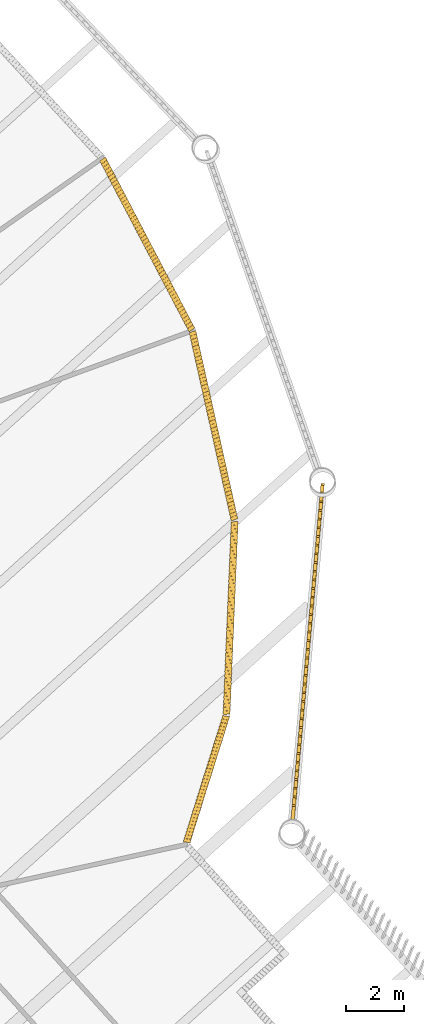
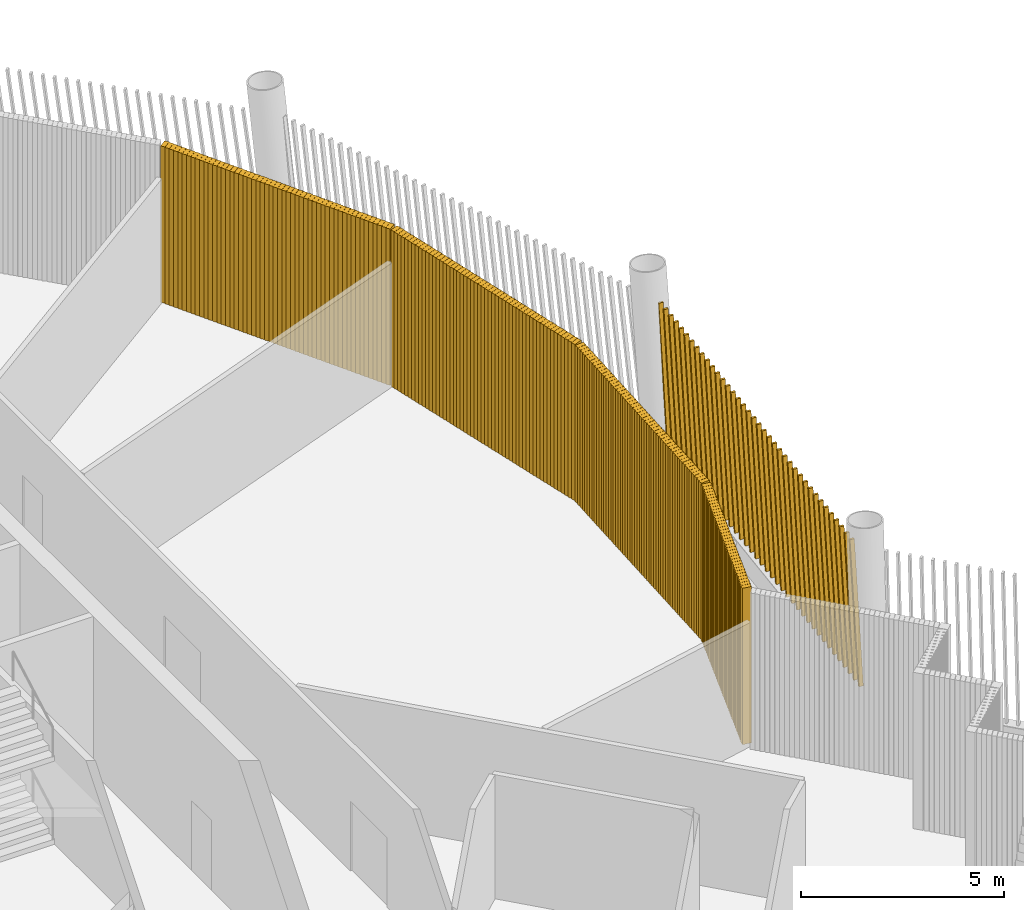
# One storey, part 20 of 21: 5 shading devices.
"""IFC4 building model written with IfcOpenShell, lengths in metres."""

from ifc_helpers import new_model, si_unit, direction, frame, frame_2d, origin, place, context, subcontext, project, spatial, rectangle, composite_profile, extrude, material, type_object, element, save


model = new_model("IFC4")

# Units and contexts
model_context = context("Model", 3, precision=1e-05, world=origin(), true_north=direction((0.0, 1.0)))
body_context = subcontext(model_context, "Body", "Model", "MODEL_VIEW")
ifc_project = project(units=[si_unit("LENGTHUNIT", "METRE"), si_unit("AREAUNIT", "SQUARE_METRE"), si_unit("VOLUMEUNIT", "CUBIC_METRE"), si_unit("PLANEANGLEUNIT", "RADIAN"), si_unit("MASSUNIT", "GRAM", prefix="KILO")], contexts=[model_context])

# Site, building, storey
site_placement = place(None, origin())
site = spatial("IfcSite", under=ifc_project, at=site_placement, CompositionType="ELEMENT")
building_placement = place(site_placement, origin())
building = spatial("IfcBuilding", under=site, at=building_placement, Name="Tarsis Ring Headquarters", CompositionType="ELEMENT")
storey_placement = place(building_placement, frame((0.0, 0.0, 398.60009765625)))
storey = spatial("IfcBuildingStorey", under=building, at=storey_placement, Name="L94", CompositionType="ELEMENT", Elevation=398.60009765625)

# Shading devices
ifc_material_1 = material(Name="Aluminium louvre", Category="aluminium")
shading_device_type_1 = type_object("IfcShadingDeviceType", Name="Plant louvre fin", PredefinedType="USERDEFINED", material=ifc_material_1)
shading_device_1_placement = place(storey_placement, frame((24.099609375, -8.879150390625, 0.0), z_axis=(0.0, 0.0, 1.0), x_axis=(0.299392016918, 0.954110494317, 0.0)))
element("IfcShadingDevice", 1, at=shading_device_1_placement, inside=storey, type_object=shading_device_type_1, Name="Louvre L94-17", ObjectType="Louvre", PredefinedType="USERDEFINED", context=body_context, shape_type="SweptSolid", body=[
    extrude(composite_profile([rectangle(XDim=0.1201171875, YDim=0.239990234375, at=frame_2d((0.076171875, 0.0), x_axis=(0.990268068742, 0.13917310096))), rectangle(XDim=0.1201171875, YDim=0.239990234375, at=frame_2d((0.203857421875, 0.0), x_axis=(0.990268068742, 0.13917310096))), rectangle(XDim=0.1201171875, YDim=0.239990234375, at=frame_2d((0.331298828125, 0.0), x_axis=(0.990268068742, 0.13917310096))), rectangle(XDim=0.1201171875, YDim=0.239990234375, at=frame_2d((0.458984375, 0.0), x_axis=(0.990268068742, 0.13917310096))), rectangle(XDim=0.1201171875, YDim=0.239990234375, at=frame_2d((0.58642578125, 0.0), x_axis=(0.990268068742, 0.13917310096))), rectangle(XDim=0.1201171875, YDim=0.239990234375, at=frame_2d((0.714111328125, 0.0), x_axis=(0.990268068742, 0.13917310096))), rectangle(XDim=0.1201171875, YDim=0.239990234375, at=frame_2d((0.841796875, 0.0), x_axis=(0.990268068742, 0.13917310096))), rectangle(XDim=0.1201171875, YDim=0.239990234375, at=frame_2d((0.96923828125, 0.0), x_axis=(0.990268068742, 0.13917310096))), rectangle(XDim=0.1201171875, YDim=0.239990234375, at=frame_2d((1.096923828125, 0.0), x_axis=(0.990268068742, 0.13917310096))), rectangle(XDim=0.1201171875, YDim=0.239990234375, at=frame_2d((1.224365234375, 0.0), x_axis=(0.990268068742, 0.13917310096))), rectangle(XDim=0.1201171875, YDim=0.239990234375, at=frame_2d((1.35205078125, 0.0), x_axis=(0.990268068742, 0.13917310096))), rectangle(XDim=0.1201171875, YDim=0.239990234375, at=frame_2d((1.479736328125, 0.0), x_axis=(0.990268068742, 0.13917310096))), rectangle(XDim=0.1201171875, YDim=0.239990234375, at=frame_2d((1.607177734375, 0.0), x_axis=(0.990268068742, 0.13917310096))), rectangle(XDim=0.1201171875, YDim=0.239990234375, at=frame_2d((1.73486328125, 0.0), x_axis=(0.990268068742, 0.13917310096))), rectangle(XDim=0.1201171875, YDim=0.239990234375, at=frame_2d((1.8623046875, 0.0), x_axis=(0.990268068742, 0.13917310096))), rectangle(XDim=0.1201171875, YDim=0.239990234375, at=frame_2d((1.989990234375, 0.0), x_axis=(0.990268068742, 0.13917310096))), rectangle(XDim=0.1201171875, YDim=0.239990234375, at=frame_2d((2.11767578125, 0.0), x_axis=(0.990268068742, 0.13917310096))), rectangle(XDim=0.1201171875, YDim=0.239990234375, at=frame_2d((2.2451171875, 0.0), x_axis=(0.990268068742, 0.13917310096))), rectangle(XDim=0.1201171875, YDim=0.239990234375, at=frame_2d((2.372802734375, 0.0), x_axis=(0.990268068742, 0.13917310096))), rectangle(XDim=0.1201171875, YDim=0.239990234375, at=frame_2d((2.500244140625, 0.0), x_axis=(0.990268068742, 0.13917310096))), rectangle(XDim=0.1201171875, YDim=0.239990234375, at=frame_2d((2.6279296875, 0.0), x_axis=(0.990268068742, 0.13917310096))), rectangle(XDim=0.1201171875, YDim=0.239990234375, at=frame_2d((2.755615234375, 0.0), x_axis=(0.990268068742, 0.13917310096))), rectangle(XDim=0.1201171875, YDim=0.239990234375, at=frame_2d((2.883056640625, 0.0), x_axis=(0.990268068742, 0.13917310096))), rectangle(XDim=0.1201171875, YDim=0.239990234375, at=frame_2d((3.0107421875, 0.0), x_axis=(0.990268068742, 0.13917310096))), rectangle(XDim=0.1201171875, YDim=0.239990234375, at=frame_2d((3.13818359375, 0.0), x_axis=(0.990268068742, 0.13917310096))), rectangle(XDim=0.1201171875, YDim=0.239990234375, at=frame_2d((3.265869140625, 0.0), x_axis=(0.990268068742, 0.13917310096))), rectangle(XDim=0.1201171875, YDim=0.239990234375, at=frame_2d((3.3935546875, 0.0), x_axis=(0.990268068742, 0.13917310096))), rectangle(XDim=0.1201171875, YDim=0.239990234375, at=frame_2d((3.52099609375, 0.0), x_axis=(0.990268068742, 0.13917310096))), rectangle(XDim=0.1201171875, YDim=0.239990234375, at=frame_2d((3.648681640625, 0.0), x_axis=(0.990268068742, 0.13917310096))), rectangle(XDim=0.1201171875, YDim=0.239990234375, at=frame_2d((3.776123046875, 0.0), x_axis=(0.990268068742, 0.13917310096))), rectangle(XDim=0.1201171875, YDim=0.239990234375, at=frame_2d((3.90380859375, 0.0), x_axis=(0.990268068742, 0.13917310096))), rectangle(XDim=0.1201171875, YDim=0.239990234375, at=frame_2d((4.031494140625, 0.0), x_axis=(0.990268068742, 0.13917310096))), rectangle(XDim=0.1201171875, YDim=0.239990234375, at=frame_2d((4.158935546875, 0.0), x_axis=(0.990268068742, 0.13917310096))), rectangle(XDim=0.1201171875, YDim=0.239990234375, at=frame_2d((4.28662109375, 0.0), x_axis=(0.990268068742, 0.13917310096))), rectangle(XDim=0.1201171875, YDim=0.239990234375, at=frame_2d((4.4140625, 0.0), x_axis=(0.990268068742, 0.13917310096))), rectangle(XDim=0.1201171875, YDim=0.239990234375, at=frame_2d((4.541748046875, 0.0), x_axis=(0.990268068742, 0.13917310096)))]), origin(), (0.0, 0.0, 1.0), 4.699951171875),
])
shading_device_2_placement = place(storey_placement, frame((25.48779296875, -4.44091796875, 0.0), z_axis=(0.0, 0.0, 1.0), x_axis=(0.042205433677, 0.999091965713, 0.0)))
element("IfcShadingDevice", 2, at=shading_device_2_placement, inside=storey, type_object=shading_device_type_1, Name="Louvre L94-18", ObjectType="Louvre", PredefinedType="USERDEFINED", context=body_context, shape_type="SweptSolid", body=[
    extrude(composite_profile([rectangle(XDim=0.1201171875, YDim=0.239990234375, at=frame_2d((0.076171875, 0.0), x_axis=(0.990268068742, 0.13917310096))), rectangle(XDim=0.1201171875, YDim=0.239990234375, at=frame_2d((0.202392578125, 0.0), x_axis=(0.990268068742, 0.13917310096))), rectangle(XDim=0.1201171875, YDim=0.239990234375, at=frame_2d((0.328857421875, 0.0), x_axis=(0.990268068742, 0.13917310096))), rectangle(XDim=0.1201171875, YDim=0.239990234375, at=frame_2d((0.455078125, 0.0), x_axis=(0.990268068742, 0.13917310096))), rectangle(XDim=0.1201171875, YDim=0.239990234375, at=frame_2d((0.58154296875, 0.0), x_axis=(0.990268068742, 0.13917310096))), rectangle(XDim=0.1201171875, YDim=0.239990234375, at=frame_2d((0.707763671875, 0.0), x_axis=(0.990268068742, 0.13917310096))), rectangle(XDim=0.1201171875, YDim=0.239990234375, at=frame_2d((0.834228515625, 0.0), x_axis=(0.990268068742, 0.13917310096))), rectangle(XDim=0.1201171875, YDim=0.239990234375, at=frame_2d((0.96044921875, 0.0), x_axis=(0.990268068742, 0.13917310096))), rectangle(XDim=0.1201171875, YDim=0.239990234375, at=frame_2d((1.0869140625, 0.0), x_axis=(0.990268068742, 0.13917310096))), rectangle(XDim=0.1201171875, YDim=0.239990234375, at=frame_2d((1.213134765625, 0.0), x_axis=(0.990268068742, 0.13917310096))), rectangle(XDim=0.1201171875, YDim=0.239990234375, at=frame_2d((1.339599609375, 0.0), x_axis=(0.990268068742, 0.13917310096))), rectangle(XDim=0.1201171875, YDim=0.239990234375, at=frame_2d((1.4658203125, 0.0), x_axis=(0.990268068742, 0.13917310096))), rectangle(XDim=0.1201171875, YDim=0.239990234375, at=frame_2d((1.59228515625, 0.0), x_axis=(0.990268068742, 0.13917310096))), rectangle(XDim=0.1201171875, YDim=0.239990234375, at=frame_2d((1.718505859375, 0.0), x_axis=(0.990268068742, 0.13917310096))), rectangle(XDim=0.1201171875, YDim=0.239990234375, at=frame_2d((1.8447265625, 0.0), x_axis=(0.990268068742, 0.13917310096))), rectangle(XDim=0.1201171875, YDim=0.239990234375, at=frame_2d((1.97119140625, 0.0), x_axis=(0.990268068742, 0.13917310096))), rectangle(XDim=0.1201171875, YDim=0.239990234375, at=frame_2d((2.097412109375, 0.0), x_axis=(0.990268068742, 0.13917310096))), rectangle(XDim=0.1201171875, YDim=0.239990234375, at=frame_2d((2.223876953125, 0.0), x_axis=(0.990268068742, 0.13917310096))), rectangle(XDim=0.1201171875, YDim=0.239990234375, at=frame_2d((2.35009765625, 0.0), x_axis=(0.990268068742, 0.13917310096))), rectangle(XDim=0.1201171875, YDim=0.239990234375, at=frame_2d((2.4765625, 0.0), x_axis=(0.990268068742, 0.13917310096))), rectangle(XDim=0.1201171875, YDim=0.239990234375, at=frame_2d((2.602783203125, 0.0), x_axis=(0.990268068742, 0.13917310096))), rectangle(XDim=0.1201171875, YDim=0.239990234375, at=frame_2d((2.729248046875, 0.0), x_axis=(0.990268068742, 0.13917310096))), rectangle(XDim=0.1201171875, YDim=0.239990234375, at=frame_2d((2.85546875, 0.0), x_axis=(0.990268068742, 0.13917310096))), rectangle(XDim=0.1201171875, YDim=0.239990234375, at=frame_2d((2.98193359375, 0.0), x_axis=(0.990268068742, 0.13917310096))), rectangle(XDim=0.1201171875, YDim=0.239990234375, at=frame_2d((3.108154296875, 0.0), x_axis=(0.990268068742, 0.13917310096))), rectangle(XDim=0.1201171875, YDim=0.239990234375, at=frame_2d((3.234619140625, 0.0), x_axis=(0.990268068742, 0.13917310096))), rectangle(XDim=0.1201171875, YDim=0.239990234375, at=frame_2d((3.36083984375, 0.0), x_axis=(0.990268068742, 0.13917310096))), rectangle(XDim=0.1201171875, YDim=0.239990234375, at=frame_2d((3.487060546875, 0.0), x_axis=(0.990268068742, 0.13917310096))), rectangle(XDim=0.1201171875, YDim=0.239990234375, at=frame_2d((3.613525390625, 0.0), x_axis=(0.990268068742, 0.13917310096))), rectangle(XDim=0.1201171875, YDim=0.239990234375, at=frame_2d((3.73974609375, 0.0), x_axis=(0.990268068742, 0.13917310096))), rectangle(XDim=0.1201171875, YDim=0.239990234375, at=frame_2d((3.8662109375, 0.0), x_axis=(0.990268068742, 0.13917310096))), rectangle(XDim=0.1201171875, YDim=0.239990234375, at=frame_2d((3.992431640625, 0.0), x_axis=(0.990268068742, 0.13917310096))), rectangle(XDim=0.1201171875, YDim=0.239990234375, at=frame_2d((4.118896484375, 0.0), x_axis=(0.990268068742, 0.13917310096))), rectangle(XDim=0.1201171875, YDim=0.239990234375, at=frame_2d((4.2451171875, 0.0), x_axis=(0.990268068742, 0.13917310096))), rectangle(XDim=0.1201171875, YDim=0.239990234375, at=frame_2d((4.37158203125, 0.0), x_axis=(0.990268068742, 0.13917310096))), rectangle(XDim=0.1201171875, YDim=0.239990234375, at=frame_2d((4.497802734375, 0.0), x_axis=(0.990268068742, 0.13917310096))), rectangle(XDim=0.1201171875, YDim=0.239990234375, at=frame_2d((4.624267578125, 0.0), x_axis=(0.990268068742, 0.13917310096))), rectangle(XDim=0.1201171875, YDim=0.239990234375, at=frame_2d((4.75048828125, 0.0), x_axis=(0.990268068742, 0.13917310096))), rectangle(XDim=0.1201171875, YDim=0.239990234375, at=frame_2d((4.876953125, 0.0), x_axis=(0.990268068742, 0.13917310096))), rectangle(XDim=0.1201171875, YDim=0.239990234375, at=frame_2d((5.003173828125, 0.0), x_axis=(0.990268068742, 0.13917310096))), rectangle(XDim=0.1201171875, YDim=0.239990234375, at=frame_2d((5.12939453125, 0.0), x_axis=(0.990268068742, 0.13917310096))), rectangle(XDim=0.1201171875, YDim=0.239990234375, at=frame_2d((5.255859375, 0.0), x_axis=(0.990268068742, 0.13917310096))), rectangle(XDim=0.1201171875, YDim=0.239990234375, at=frame_2d((5.382080078125, 0.0), x_axis=(0.990268068742, 0.13917310096))), rectangle(XDim=0.1201171875, YDim=0.239990234375, at=frame_2d((5.508544921875, 0.0), x_axis=(0.990268068742, 0.13917310096))), rectangle(XDim=0.1201171875, YDim=0.239990234375, at=frame_2d((5.634765625, 0.0), x_axis=(0.990268068742, 0.13917310096))), rectangle(XDim=0.1201171875, YDim=0.239990234375, at=frame_2d((5.76123046875, 0.0), x_axis=(0.990268068742, 0.13917310096))), rectangle(XDim=0.1201171875, YDim=0.239990234375, at=frame_2d((5.887451171875, 0.0), x_axis=(0.990268068742, 0.13917310096))), rectangle(XDim=0.1201171875, YDim=0.239990234375, at=frame_2d((6.013916015625, 0.0), x_axis=(0.990268068742, 0.13917310096))), rectangle(XDim=0.1201171875, YDim=0.239990234375, at=frame_2d((6.14013671875, 0.0), x_axis=(0.990268068742, 0.13917310096))), rectangle(XDim=0.1201171875, YDim=0.239990234375, at=frame_2d((6.2666015625, 0.0), x_axis=(0.990268068742, 0.13917310096))), rectangle(XDim=0.1201171875, YDim=0.239990234375, at=frame_2d((6.392822265625, 0.0), x_axis=(0.990268068742, 0.13917310096))), rectangle(XDim=0.1201171875, YDim=0.239990234375, at=frame_2d((6.519287109375, 0.0), x_axis=(0.990268068742, 0.13917310096))), rectangle(XDim=0.1201171875, YDim=0.239990234375, at=frame_2d((6.6455078125, 0.0), x_axis=(0.990268068742, 0.13917310096)))]), origin(), (0.0, 0.0, 1.0), 4.699951171875),
])
shading_device_3_placement = place(storey_placement, frame((25.768798828125, 2.30712890625, 0.0), z_axis=(0.0, 0.0, 1.0), x_axis=(-0.217827176637, 0.975990701391, 0.0)))
element("IfcShadingDevice", 3, at=shading_device_3_placement, inside=storey, type_object=shading_device_type_1, Name="Louvre L94-19", ObjectType="Louvre", PredefinedType="USERDEFINED", context=body_context, shape_type="SweptSolid", body=[
    extrude(composite_profile([rectangle(XDim=0.1201171875, YDim=0.239990234375, at=frame_2d((0.076171875, 0.0), x_axis=(0.990268068742, 0.13917310096))), rectangle(XDim=0.1201171875, YDim=0.239990234375, at=frame_2d((0.202392578125, 0.0), x_axis=(0.990268068742, 0.13917310096))), rectangle(XDim=0.1201171875, YDim=0.239990234375, at=frame_2d((0.328857421875, 0.0), x_axis=(0.990268068742, 0.13917310096))), rectangle(XDim=0.1201171875, YDim=0.239990234375, at=frame_2d((0.455078125, 0.0), x_axis=(0.990268068742, 0.13917310096))), rectangle(XDim=0.1201171875, YDim=0.239990234375, at=frame_2d((0.58154296875, 0.0), x_axis=(0.990268068742, 0.13917310096))), rectangle(XDim=0.1201171875, YDim=0.239990234375, at=frame_2d((0.707763671875, 0.0), x_axis=(0.990268068742, 0.13917310096))), rectangle(XDim=0.1201171875, YDim=0.239990234375, at=frame_2d((0.834228515625, 0.0), x_axis=(0.990268068742, 0.13917310096))), rectangle(XDim=0.1201171875, YDim=0.239990234375, at=frame_2d((0.96044921875, 0.0), x_axis=(0.990268068742, 0.13917310096))), rectangle(XDim=0.1201171875, YDim=0.239990234375, at=frame_2d((1.0869140625, 0.0), x_axis=(0.990268068742, 0.13917310096))), rectangle(XDim=0.1201171875, YDim=0.239990234375, at=frame_2d((1.213134765625, 0.0), x_axis=(0.990268068742, 0.13917310096))), rectangle(XDim=0.1201171875, YDim=0.239990234375, at=frame_2d((1.33935546875, 0.0), x_axis=(0.990268068742, 0.13917310096))), rectangle(XDim=0.1201171875, YDim=0.239990234375, at=frame_2d((1.4658203125, 0.0), x_axis=(0.990268068742, 0.13917310096))), rectangle(XDim=0.1201171875, YDim=0.239990234375, at=frame_2d((1.592041015625, 0.0), x_axis=(0.990268068742, 0.13917310096))), rectangle(XDim=0.1201171875, YDim=0.239990234375, at=frame_2d((1.718505859375, 0.0), x_axis=(0.990268068742, 0.13917310096))), rectangle(XDim=0.1201171875, YDim=0.239990234375, at=frame_2d((1.8447265625, 0.0), x_axis=(0.990268068742, 0.13917310096))), rectangle(XDim=0.1201171875, YDim=0.239990234375, at=frame_2d((1.97119140625, 0.0), x_axis=(0.990268068742, 0.13917310096))), rectangle(XDim=0.1201171875, YDim=0.239990234375, at=frame_2d((2.097412109375, 0.0), x_axis=(0.990268068742, 0.13917310096))), rectangle(XDim=0.1201171875, YDim=0.239990234375, at=frame_2d((2.223876953125, 0.0), x_axis=(0.990268068742, 0.13917310096))), rectangle(XDim=0.1201171875, YDim=0.239990234375, at=frame_2d((2.35009765625, 0.0), x_axis=(0.990268068742, 0.13917310096))), rectangle(XDim=0.1201171875, YDim=0.239990234375, at=frame_2d((2.476318359375, 0.0), x_axis=(0.990268068742, 0.13917310096))), rectangle(XDim=0.1201171875, YDim=0.239990234375, at=frame_2d((2.602783203125, 0.0), x_axis=(0.990268068742, 0.13917310096))), rectangle(XDim=0.1201171875, YDim=0.239990234375, at=frame_2d((2.72900390625, 0.0), x_axis=(0.990268068742, 0.13917310096))), rectangle(XDim=0.1201171875, YDim=0.239990234375, at=frame_2d((2.85546875, 0.0), x_axis=(0.990268068742, 0.13917310096))), rectangle(XDim=0.1201171875, YDim=0.239990234375, at=frame_2d((2.981689453125, 0.0), x_axis=(0.990268068742, 0.13917310096))), rectangle(XDim=0.1201171875, YDim=0.239990234375, at=frame_2d((3.108154296875, 0.0), x_axis=(0.990268068742, 0.13917310096))), rectangle(XDim=0.1201171875, YDim=0.239990234375, at=frame_2d((3.234375, 0.0), x_axis=(0.990268068742, 0.13917310096))), rectangle(XDim=0.1201171875, YDim=0.239990234375, at=frame_2d((3.36083984375, 0.0), x_axis=(0.990268068742, 0.13917310096))), rectangle(XDim=0.1201171875, YDim=0.239990234375, at=frame_2d((3.487060546875, 0.0), x_axis=(0.990268068742, 0.13917310096))), rectangle(XDim=0.1201171875, YDim=0.239990234375, at=frame_2d((3.61328125, 0.0), x_axis=(0.990268068742, 0.13917310096))), rectangle(XDim=0.1201171875, YDim=0.239990234375, at=frame_2d((3.73974609375, 0.0), x_axis=(0.990268068742, 0.13917310096))), rectangle(XDim=0.1201171875, YDim=0.239990234375, at=frame_2d((3.865966796875, 0.0), x_axis=(0.990268068742, 0.13917310096))), rectangle(XDim=0.1201171875, YDim=0.239990234375, at=frame_2d((3.992431640625, 0.0), x_axis=(0.990268068742, 0.13917310096))), rectangle(XDim=0.1201171875, YDim=0.239990234375, at=frame_2d((4.11865234375, 0.0), x_axis=(0.990268068742, 0.13917310096))), rectangle(XDim=0.1201171875, YDim=0.239990234375, at=frame_2d((4.2451171875, 0.0), x_axis=(0.990268068742, 0.13917310096))), rectangle(XDim=0.1201171875, YDim=0.239990234375, at=frame_2d((4.371337890625, 0.0), x_axis=(0.990268068742, 0.13917310096))), rectangle(XDim=0.1201171875, YDim=0.239990234375, at=frame_2d((4.49755859375, 0.0), x_axis=(0.990268068742, 0.13917310096))), rectangle(XDim=0.1201171875, YDim=0.239990234375, at=frame_2d((4.6240234375, 0.0), x_axis=(0.990268068742, 0.13917310096))), rectangle(XDim=0.1201171875, YDim=0.239990234375, at=frame_2d((4.750244140625, 0.0), x_axis=(0.990268068742, 0.13917310096))), rectangle(XDim=0.1201171875, YDim=0.239990234375, at=frame_2d((4.876708984375, 0.0), x_axis=(0.990268068742, 0.13917310096))), rectangle(XDim=0.1201171875, YDim=0.239990234375, at=frame_2d((5.0029296875, 0.0), x_axis=(0.990268068742, 0.13917310096))), rectangle(XDim=0.1201171875, YDim=0.239990234375, at=frame_2d((5.12939453125, 0.0), x_axis=(0.990268068742, 0.13917310096))), rectangle(XDim=0.1201171875, YDim=0.239990234375, at=frame_2d((5.255615234375, 0.0), x_axis=(0.990268068742, 0.13917310096))), rectangle(XDim=0.1201171875, YDim=0.239990234375, at=frame_2d((5.382080078125, 0.0), x_axis=(0.990268068742, 0.13917310096))), rectangle(XDim=0.1201171875, YDim=0.239990234375, at=frame_2d((5.50830078125, 0.0), x_axis=(0.990268068742, 0.13917310096))), rectangle(XDim=0.1201171875, YDim=0.239990234375, at=frame_2d((5.634521484375, 0.0), x_axis=(0.990268068742, 0.13917310096))), rectangle(XDim=0.1201171875, YDim=0.239990234375, at=frame_2d((5.760986328125, 0.0), x_axis=(0.990268068742, 0.13917310096))), rectangle(XDim=0.1201171875, YDim=0.239990234375, at=frame_2d((5.88720703125, 0.0), x_axis=(0.990268068742, 0.13917310096))), rectangle(XDim=0.1201171875, YDim=0.239990234375, at=frame_2d((6.013671875, 0.0), x_axis=(0.990268068742, 0.13917310096))), rectangle(XDim=0.1201171875, YDim=0.239990234375, at=frame_2d((6.139892578125, 0.0), x_axis=(0.990268068742, 0.13917310096))), rectangle(XDim=0.1201171875, YDim=0.239990234375, at=frame_2d((6.266357421875, 0.0), x_axis=(0.990268068742, 0.13917310096))), rectangle(XDim=0.1201171875, YDim=0.239990234375, at=frame_2d((6.392578125, 0.0), x_axis=(0.990268068742, 0.13917310096))), rectangle(XDim=0.1201171875, YDim=0.239990234375, at=frame_2d((6.51904296875, 0.0), x_axis=(0.990268068742, 0.13917310096))), rectangle(XDim=0.1201171875, YDim=0.239990234375, at=frame_2d((6.645263671875, 0.0), x_axis=(0.990268068742, 0.13917310096)))]), origin(), (0.0, 0.0, 1.0), 4.699951171875),
])
shading_device_4_placement = place(storey_placement, frame((24.29345703125, 8.89794921875, 0.0), z_axis=(0.0, 0.0, 1.0), x_axis=(-0.462969016745, 0.886382623225, 0.0)))
element("IfcShadingDevice", 4, at=shading_device_4_placement, inside=storey, type_object=shading_device_type_1, Name="Louvre L94-20", ObjectType="Louvre", PredefinedType="USERDEFINED", context=body_context, shape_type="SweptSolid", body=[
    extrude(composite_profile([rectangle(XDim=0.1201171875, YDim=0.239990234375, at=frame_2d((0.076171875, 0.0), x_axis=(0.990268068742, 0.13917310096))), rectangle(XDim=0.1201171875, YDim=0.239990234375, at=frame_2d((0.202392578125, 0.0), x_axis=(0.990268068742, 0.13917310096))), rectangle(XDim=0.1201171875, YDim=0.239990234375, at=frame_2d((0.328857421875, 0.0), x_axis=(0.990268068742, 0.13917310096))), rectangle(XDim=0.1201171875, YDim=0.239990234375, at=frame_2d((0.455078125, 0.0), x_axis=(0.990268068742, 0.13917310096))), rectangle(XDim=0.1201171875, YDim=0.239990234375, at=frame_2d((0.58154296875, 0.0), x_axis=(0.990268068742, 0.13917310096))), rectangle(XDim=0.1201171875, YDim=0.239990234375, at=frame_2d((0.707763671875, 0.0), x_axis=(0.990268068742, 0.13917310096))), rectangle(XDim=0.1201171875, YDim=0.239990234375, at=frame_2d((0.834228515625, 0.0), x_axis=(0.990268068742, 0.13917310096))), rectangle(XDim=0.1201171875, YDim=0.239990234375, at=frame_2d((0.96044921875, 0.0), x_axis=(0.990268068742, 0.13917310096))), rectangle(XDim=0.1201171875, YDim=0.239990234375, at=frame_2d((1.0869140625, 0.0), x_axis=(0.990268068742, 0.13917310096))), rectangle(XDim=0.1201171875, YDim=0.239990234375, at=frame_2d((1.213134765625, 0.0), x_axis=(0.990268068742, 0.13917310096))), rectangle(XDim=0.1201171875, YDim=0.239990234375, at=frame_2d((1.33935546875, 0.0), x_axis=(0.990268068742, 0.13917310096))), rectangle(XDim=0.1201171875, YDim=0.239990234375, at=frame_2d((1.4658203125, 0.0), x_axis=(0.990268068742, 0.13917310096))), rectangle(XDim=0.1201171875, YDim=0.239990234375, at=frame_2d((1.592041015625, 0.0), x_axis=(0.990268068742, 0.13917310096))), rectangle(XDim=0.1201171875, YDim=0.239990234375, at=frame_2d((1.718505859375, 0.0), x_axis=(0.990268068742, 0.13917310096))), rectangle(XDim=0.1201171875, YDim=0.239990234375, at=frame_2d((1.8447265625, 0.0), x_axis=(0.990268068742, 0.13917310096))), rectangle(XDim=0.1201171875, YDim=0.239990234375, at=frame_2d((1.97119140625, 0.0), x_axis=(0.990268068742, 0.13917310096))), rectangle(XDim=0.1201171875, YDim=0.239990234375, at=frame_2d((2.097412109375, 0.0), x_axis=(0.990268068742, 0.13917310096))), rectangle(XDim=0.1201171875, YDim=0.239990234375, at=frame_2d((2.223876953125, 0.0), x_axis=(0.990268068742, 0.13917310096))), rectangle(XDim=0.1201171875, YDim=0.239990234375, at=frame_2d((2.35009765625, 0.0), x_axis=(0.990268068742, 0.13917310096))), rectangle(XDim=0.1201171875, YDim=0.239990234375, at=frame_2d((2.476318359375, 0.0), x_axis=(0.990268068742, 0.13917310096))), rectangle(XDim=0.1201171875, YDim=0.239990234375, at=frame_2d((2.602783203125, 0.0), x_axis=(0.990268068742, 0.13917310096))), rectangle(XDim=0.1201171875, YDim=0.239990234375, at=frame_2d((2.72900390625, 0.0), x_axis=(0.990268068742, 0.13917310096))), rectangle(XDim=0.1201171875, YDim=0.239990234375, at=frame_2d((2.85546875, 0.0), x_axis=(0.990268068742, 0.13917310096))), rectangle(XDim=0.1201171875, YDim=0.239990234375, at=frame_2d((2.981689453125, 0.0), x_axis=(0.990268068742, 0.13917310096))), rectangle(XDim=0.1201171875, YDim=0.239990234375, at=frame_2d((3.108154296875, 0.0), x_axis=(0.990268068742, 0.13917310096))), rectangle(XDim=0.1201171875, YDim=0.239990234375, at=frame_2d((3.234375, 0.0), x_axis=(0.990268068742, 0.13917310096))), rectangle(XDim=0.1201171875, YDim=0.239990234375, at=frame_2d((3.36083984375, 0.0), x_axis=(0.990268068742, 0.13917310096))), rectangle(XDim=0.1201171875, YDim=0.239990234375, at=frame_2d((3.487060546875, 0.0), x_axis=(0.990268068742, 0.13917310096))), rectangle(XDim=0.1201171875, YDim=0.239990234375, at=frame_2d((3.61328125, 0.0), x_axis=(0.990268068742, 0.13917310096))), rectangle(XDim=0.1201171875, YDim=0.239990234375, at=frame_2d((3.73974609375, 0.0), x_axis=(0.990268068742, 0.13917310096))), rectangle(XDim=0.1201171875, YDim=0.239990234375, at=frame_2d((3.865966796875, 0.0), x_axis=(0.990268068742, 0.13917310096))), rectangle(XDim=0.1201171875, YDim=0.239990234375, at=frame_2d((3.992431640625, 0.0), x_axis=(0.990268068742, 0.13917310096))), rectangle(XDim=0.1201171875, YDim=0.239990234375, at=frame_2d((4.11865234375, 0.0), x_axis=(0.990268068742, 0.13917310096))), rectangle(XDim=0.1201171875, YDim=0.239990234375, at=frame_2d((4.2451171875, 0.0), x_axis=(0.990268068742, 0.13917310096))), rectangle(XDim=0.1201171875, YDim=0.239990234375, at=frame_2d((4.371337890625, 0.0), x_axis=(0.990268068742, 0.13917310096))), rectangle(XDim=0.1201171875, YDim=0.239990234375, at=frame_2d((4.49755859375, 0.0), x_axis=(0.990268068742, 0.13917310096))), rectangle(XDim=0.1201171875, YDim=0.239990234375, at=frame_2d((4.6240234375, 0.0), x_axis=(0.990268068742, 0.13917310096))), rectangle(XDim=0.1201171875, YDim=0.239990234375, at=frame_2d((4.750244140625, 0.0), x_axis=(0.990268068742, 0.13917310096))), rectangle(XDim=0.1201171875, YDim=0.239990234375, at=frame_2d((4.876708984375, 0.0), x_axis=(0.990268068742, 0.13917310096))), rectangle(XDim=0.1201171875, YDim=0.239990234375, at=frame_2d((5.0029296875, 0.0), x_axis=(0.990268068742, 0.13917310096))), rectangle(XDim=0.1201171875, YDim=0.239990234375, at=frame_2d((5.12939453125, 0.0), x_axis=(0.990268068742, 0.13917310096))), rectangle(XDim=0.1201171875, YDim=0.239990234375, at=frame_2d((5.255615234375, 0.0), x_axis=(0.990268068742, 0.13917310096))), rectangle(XDim=0.1201171875, YDim=0.239990234375, at=frame_2d((5.382080078125, 0.0), x_axis=(0.990268068742, 0.13917310096))), rectangle(XDim=0.1201171875, YDim=0.239990234375, at=frame_2d((5.50830078125, 0.0), x_axis=(0.990268068742, 0.13917310096))), rectangle(XDim=0.1201171875, YDim=0.239990234375, at=frame_2d((5.634521484375, 0.0), x_axis=(0.990268068742, 0.13917310096))), rectangle(XDim=0.1201171875, YDim=0.239990234375, at=frame_2d((5.760986328125, 0.0), x_axis=(0.990268068742, 0.13917310096))), rectangle(XDim=0.1201171875, YDim=0.239990234375, at=frame_2d((5.88720703125, 0.0), x_axis=(0.990268068742, 0.13917310096))), rectangle(XDim=0.1201171875, YDim=0.239990234375, at=frame_2d((6.013671875, 0.0), x_axis=(0.990268068742, 0.13917310096))), rectangle(XDim=0.1201171875, YDim=0.239990234375, at=frame_2d((6.139892578125, 0.0), x_axis=(0.990268068742, 0.13917310096))), rectangle(XDim=0.1201171875, YDim=0.239990234375, at=frame_2d((6.266357421875, 0.0), x_axis=(0.990268068742, 0.13917310096))), rectangle(XDim=0.1201171875, YDim=0.239990234375, at=frame_2d((6.392578125, 0.0), x_axis=(0.990268068742, 0.13917310096))), rectangle(XDim=0.1201171875, YDim=0.239990234375, at=frame_2d((6.51904296875, 0.0), x_axis=(0.990268068742, 0.13917310096))), rectangle(XDim=0.1201171875, YDim=0.239990234375, at=frame_2d((6.645263671875, 0.0), x_axis=(0.990268068742, 0.13917310096)))]), origin(), (0.0, 0.0, 1.0), 4.699951171875),
])
ifc_material_2 = material(Name="Terracotta baguette", Category="masonry")
shading_device_type_2 = type_object("IfcShadingDeviceType", Name="Terracotta baguette screen", PredefinedType="USERDEFINED", material=ifc_material_2)
shading_device_5_placement = place(storey_placement, frame((27.780517578125, -8.135498046875, 0.0), z_axis=(0.0, 0.0, 1.0), x_axis=(0.089222154701, 0.996006597795, 0.0)))
element("IfcShadingDevice", 5, at=shading_device_5_placement, inside=storey, type_object=shading_device_type_2, Name="Baguette screen L94-05", ObjectType="Terracotta baguette screen", PredefinedType="USERDEFINED", context=body_context, shape_type="SweptSolid", body=[
    extrude(composite_profile([rectangle(XDim=0.06005859375, YDim=0.1201171875, at=frame_2d((0.030029296875, 0.0))), rectangle(XDim=0.06005859375, YDim=0.1201171875, at=frame_2d((0.33251953125, 0.0))), rectangle(XDim=0.06005859375, YDim=0.1201171875, at=frame_2d((0.634765625, 0.0))), rectangle(XDim=0.06005859375, YDim=0.1201171875, at=frame_2d((0.937255859375, 0.0))), rectangle(XDim=0.06005859375, YDim=0.1201171875, at=frame_2d((1.239501953125, 0.0))), rectangle(XDim=0.06005859375, YDim=0.1201171875, at=frame_2d((1.5419921875, 0.0))), rectangle(XDim=0.06005859375, YDim=0.1201171875, at=frame_2d((1.844482421875, 0.0))), rectangle(XDim=0.06005859375, YDim=0.1201171875, at=frame_2d((2.146728515625, 0.0))), rectangle(XDim=0.06005859375, YDim=0.1201171875, at=frame_2d((2.44921875, 0.0))), rectangle(XDim=0.06005859375, YDim=0.1201171875, at=frame_2d((2.751708984375, 0.0))), rectangle(XDim=0.06005859375, YDim=0.1201171875, at=frame_2d((3.053955078125, 0.0))), rectangle(XDim=0.06005859375, YDim=0.1201171875, at=frame_2d((3.3564453125, 0.0))), rectangle(XDim=0.06005859375, YDim=0.1201171875, at=frame_2d((3.65869140625, 0.0))), rectangle(XDim=0.06005859375, YDim=0.1201171875, at=frame_2d((3.961181640625, 0.0))), rectangle(XDim=0.06005859375, YDim=0.1201171875, at=frame_2d((4.263671875, 0.0))), rectangle(XDim=0.06005859375, YDim=0.1201171875, at=frame_2d((4.56591796875, 0.0))), rectangle(XDim=0.06005859375, YDim=0.1201171875, at=frame_2d((4.868408203125, 0.0))), rectangle(XDim=0.06005859375, YDim=0.1201171875, at=frame_2d((5.1708984375, 0.0))), rectangle(XDim=0.06005859375, YDim=0.1201171875, at=frame_2d((5.47314453125, 0.0))), rectangle(XDim=0.06005859375, YDim=0.1201171875, at=frame_2d((5.775634765625, 0.0))), rectangle(XDim=0.06005859375, YDim=0.1201171875, at=frame_2d((6.077880859375, 0.0))), rectangle(XDim=0.06005859375, YDim=0.1201171875, at=frame_2d((6.38037109375, 0.0))), rectangle(XDim=0.06005859375, YDim=0.1201171875, at=frame_2d((6.682861328125, 0.0))), rectangle(XDim=0.06005859375, YDim=0.1201171875, at=frame_2d((6.985107421875, 0.0))), rectangle(XDim=0.06005859375, YDim=0.1201171875, at=frame_2d((7.28759765625, 0.0))), rectangle(XDim=0.06005859375, YDim=0.1201171875, at=frame_2d((7.590087890625, 0.0))), rectangle(XDim=0.06005859375, YDim=0.1201171875, at=frame_2d((7.892333984375, 0.0))), rectangle(XDim=0.06005859375, YDim=0.1201171875, at=frame_2d((8.19482421875, 0.0))), rectangle(XDim=0.06005859375, YDim=0.1201171875, at=frame_2d((8.4970703125, 0.0))), rectangle(XDim=0.06005859375, YDim=0.1201171875, at=frame_2d((8.799560546875, 0.0))), rectangle(XDim=0.06005859375, YDim=0.1201171875, at=frame_2d((9.10205078125, 0.0))), rectangle(XDim=0.06005859375, YDim=0.1201171875, at=frame_2d((9.404296875, 0.0))), rectangle(XDim=0.06005859375, YDim=0.1201171875, at=frame_2d((9.706787109375, 0.0))), rectangle(XDim=0.06005859375, YDim=0.1201171875, at=frame_2d((10.00927734375, 0.0))), rectangle(XDim=0.06005859375, YDim=0.1201171875, at=frame_2d((10.3115234375, 0.0))), rectangle(XDim=0.06005859375, YDim=0.1201171875, at=frame_2d((10.614013671875, 0.0))), rectangle(XDim=0.06005859375, YDim=0.1201171875, at=frame_2d((10.916259765625, 0.0))), rectangle(XDim=0.06005859375, YDim=0.1201171875, at=frame_2d((11.21875, 0.0)))]), origin(), (0.124851904301, 0.001133540601, 0.992174741201), 4.1279296875),
])

save(model, "model.ifc")
